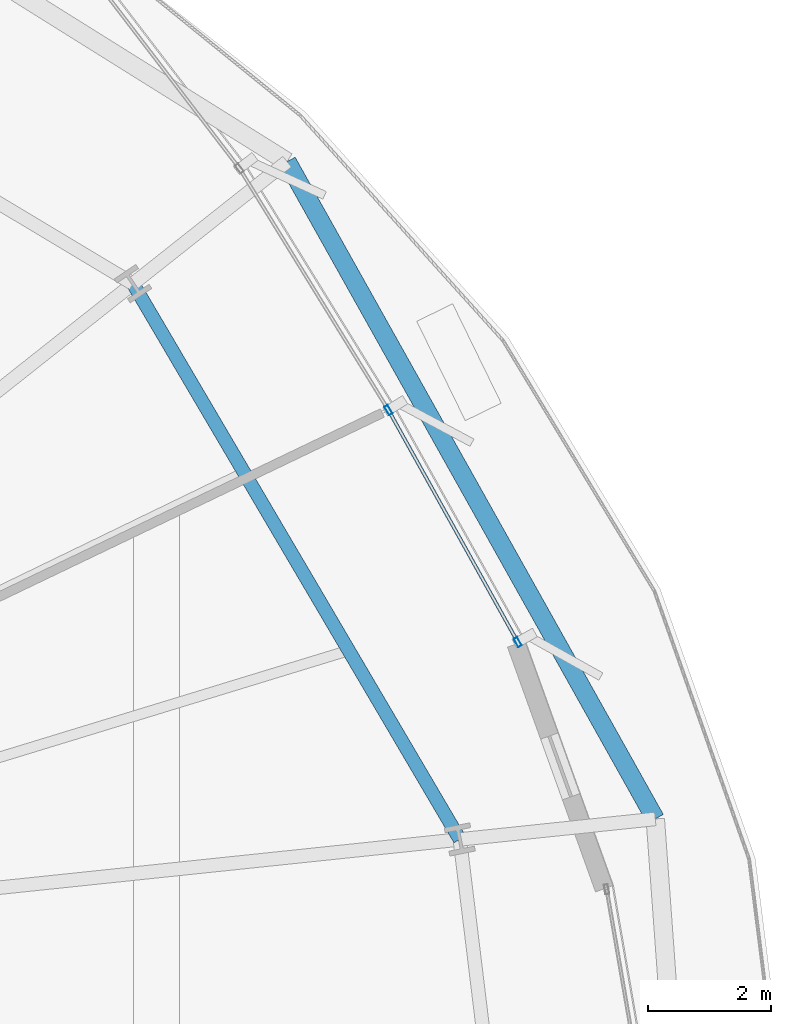
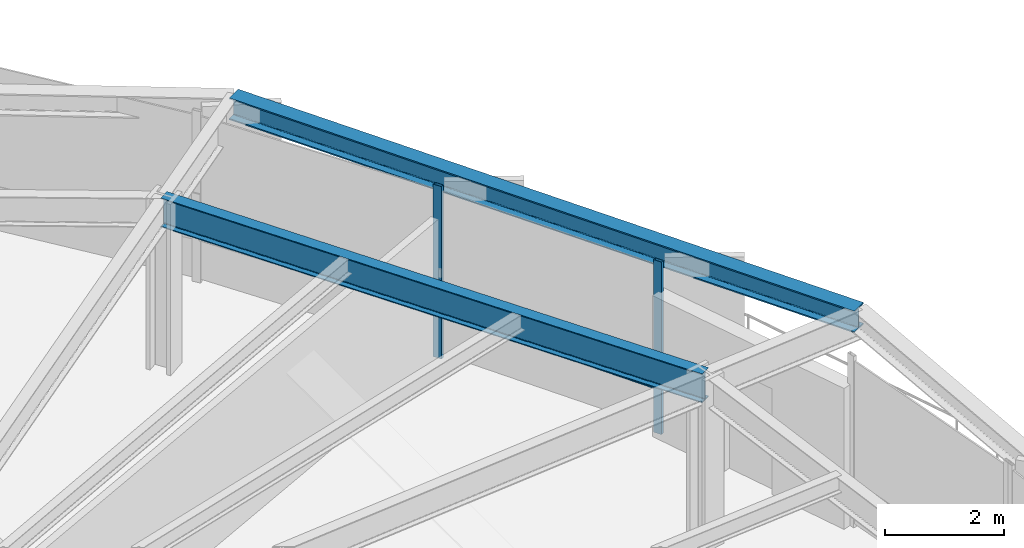
# One storey, part 26 of 39: 3 members, 2 beams, 1 element without a shape of its own.
"""IFC4 building model written with IfcOpenShell, lengths in metres."""

from ifc_helpers import new_model, si_unit, direction, frame, origin, origin_2d, place, context, subcontext, project, spatial, hollow_rectangle, i_section, extrude, source, transform, mapped, material, layer, layer_set, material_profile, profile_set, type_object, element, aggregate, save


model = new_model("IFC4")

# Units and contexts
model_context = context("Model", 3, precision=1e-05, world=origin(), true_north=direction((0.0, 1.0)))
body_context = subcontext(model_context, "Body", "Model", "MODEL_VIEW")
ifc_project = project(units=[si_unit("LENGTHUNIT", "METRE"), si_unit("AREAUNIT", "SQUARE_METRE"), si_unit("VOLUMEUNIT", "CUBIC_METRE"), si_unit("PLANEANGLEUNIT", "RADIAN"), si_unit("MASSUNIT", "GRAM", prefix="KILO"), si_unit("THERMODYNAMICTEMPERATUREUNIT", "KELVIN")], contexts=[model_context])

# Site, building, storey
site_placement = place(None, origin())
site = spatial("IfcSite", under=ifc_project, at=site_placement, CompositionType="ELEMENT")
building_placement = place(site_placement, origin())
building = spatial("IfcBuilding", under=site, at=building_placement, Name="Kethvar Cultural Tower", CompositionType="ELEMENT")
storey_placement = place(building_placement, frame((0.0, 0.0, 33.39990234375)))
storey = spatial("IfcBuildingStorey", under=building, at=storey_placement, Name="L07", CompositionType="ELEMENT", Elevation=33.39990234375)

# Beams
ifc_material_1 = material(Name="Steel S355J2", Category="steel")
ifc_material_profile_1 = material_profile(ifc_material_1, i_section(OverallWidth=0.219970703125, OverallDepth=0.60009765625, WebThickness=0.011962890625, FlangeThickness=0.01904296875, FilletRadius=0.02392578125, at=origin_2d()), Name="Steel S355J2 — IPE600")
ifc_profile_set_1 = profile_set([ifc_material_profile_1], Name="Steel S355J2 — IPE600")
beam_type_1 = type_object("IfcBeamType", Name="BM-IPE600", PredefinedType="BEAM", material=ifc_profile_set_1)
shared_shape_1 = source(origin(), body_context, "Body", "SweptSolid", [
    extrude(i_section(OverallWidth=0.219970703125, OverallDepth=0.60009765625, WebThickness=0.011962890625, FlangeThickness=0.01904296875, FilletRadius=0.02392578125, at=origin_2d()), origin(), (0.0, 0.0, 1.0), 10.496337890625),
])
beam_1_placement = place(storey_placement, frame((73.65673828125, 33.14208984375, 3.248046875), z_axis=(-0.506871712474, 0.862021500366, 0.0), x_axis=(-0.862021500366, -0.506871712474, 0.0)))
element("IfcBeam", 1, at=beam_1_placement, inside=storey, type_object=beam_type_1, Name="L07 Column Ring Tie Beam CR-01", PredefinedType="BEAM", context=body_context, shape_type="MappedRepresentation", body=[
    mapped(shared_shape_1, transform((0.0, 0.0, 0.0), scale=1.0)),
])
ifc_material_profile_2 = material_profile(ifc_material_1, i_section(OverallWidth=0.300048828125, OverallDepth=0.449951171875, WebThickness=0.013916015625, FlangeThickness=0.02587890625, FilletRadius=0.027099609375, at=origin_2d()), Name="Steel S355J2 — HEB450")
ifc_profile_set_2 = profile_set([ifc_material_profile_2], Name="Steel S355J2 — HEB450")
beam_type_2 = type_object("IfcBeamType", Name="BM-SP450", PredefinedType="SPANDREL", material=ifc_profile_set_2)
shared_shape_2 = source(origin(), body_context, "Body", "SweptSolid", [
    extrude(i_section(OverallWidth=0.300048828125, OverallDepth=0.449951171875, WebThickness=0.013916015625, FlangeThickness=0.02587890625, FilletRadius=0.027099609375, at=origin_2d()), origin(), (0.0, 0.0, 1.0), 12.266357421875),
])
beam_2_placement = place(storey_placement, frame((76.83935546875, 33.4755859375, 3.322998046875), z_axis=(-0.488708822027, 0.872446953845, 0.0), x_axis=(-0.872446953845, -0.488708822027, 0.0)))
element("IfcBeam", 2, at=beam_2_placement, inside=storey, type_object=beam_type_2, Name="L07 Perimeter Spandrel Beam SP-01", PredefinedType="SPANDREL", context=body_context, shape_type="MappedRepresentation", body=[
    mapped(shared_shape_2, transform((0.0, 0.0, 0.0), scale=1.0)),
])

# Curtain wall, members
ifc_material_2 = material(Name="Aluminium 6063-T6", Category="aluminium")
ifc_layer = layer(ifc_material_2, 0.179931640625, Name="Aluminium 6063-T6", Category="aluminium")
ifc_layer_set = layer_set([ifc_layer], Name="Aluminium 6063-T6 (180 mm)")
curtain_wall_type = type_object("IfcCurtainWallType", Name="CW-SYS-02-Z1", PredefinedType="NOTDEFINED", material=ifc_layer_set)
curtain_wall_placement = place(storey_placement, origin())
curtain_wall = element("IfcCurtainWall", 3, at=curtain_wall_placement, inside=storey, type_object=curtain_wall_type, Name="L07 Curtain Wall Run 02", PredefinedType="NOTDEFINED")
ifc_material_profile_3 = material_profile(ifc_material_2, hollow_rectangle(XDim=0.06494140625, YDim=0.159912109375, WallThickness=0.0048828125, at=origin_2d()), Name="Aluminium 6063-T6 — RHS160x65x5")
ifc_profile_set_3 = profile_set([ifc_material_profile_3], Name="Aluminium 6063-T6 — RHS160x65x5")
member_type_1 = type_object("IfcMemberType", Name="CW-SYS-02-Z1-MUL", PredefinedType="MULLION", material=ifc_profile_set_3)
shared_shape_3 = source(origin(), body_context, "Body", "SweptSolid", [
    extrude(hollow_rectangle(XDim=0.06494140625, YDim=0.159912109375, WallThickness=0.0048828125, at=origin_2d()), origin(), (0.0, 0.0, 1.0), 3.550048828125),
])
member_1_placement = place(storey_placement, frame((74.599853515625, 36.355224609375, 0.0), z_axis=(0.0, 0.0, 1.0), x_axis=(-0.873491969053, -0.486838556403, 0.0)))
member_1 = element("IfcMember", 4, at=member_1_placement, type_object=member_type_1, Name="CW-L07-R02 Mullion 1", PredefinedType="MULLION", context=body_context, shape_type="MappedRepresentation", body=[
    mapped(shared_shape_3, transform((0.0, 0.0, 0.0), scale=1.0)),
])
member_2_placement = place(storey_placement, frame((72.494384765625, 40.13330078125, 0.0), z_axis=(0.0, 0.0, 1.0), x_axis=(-0.851177750474, -0.524877544859, 0.0)))
member_2 = element("IfcMember", 5, at=member_2_placement, type_object=member_type_1, Name="CW-L07-R02 Mullion 2", PredefinedType="MULLION", context=body_context, shape_type="MappedRepresentation", body=[
    mapped(shared_shape_3, transform((0.0, 0.0, 0.0), scale=1.0)),
])
ifc_material_profile_4 = material_profile(ifc_material_2, hollow_rectangle(XDim=0.054931640625, YDim=0.1201171875, WallThickness=0.00390625, at=origin_2d()), Name="Aluminium 6063-T6 — RHS120x55x4")
ifc_profile_set_4 = profile_set([ifc_material_profile_4], Name="Aluminium 6063-T6 — RHS120x55x4")
member_type_2 = type_object("IfcMemberType", Name="CW-SYS-02-Z1-TRN", PredefinedType="USERDEFINED", material=ifc_profile_set_4)
shared_shape_4 = source(origin(), body_context, "Body", "SweptSolid", [
    extrude(hollow_rectangle(XDim=0.054931640625, YDim=0.1201171875, WallThickness=0.00390625, at=origin_2d()), origin(), (0.0, 0.0, 1.0), 4.27880859375),
])
member_3_placement = place(storey_placement, frame((74.59765625, 36.359375, 0.9501953125), z_axis=(-0.486863251736, 0.873478204713, 0.0), x_axis=(-0.873478204713, -0.486863251736, 0.0)))
member_3 = element("IfcMember", 6, at=member_3_placement, type_object=member_type_2, Name="CW-L07-R02 Transom 1", ObjectType="TRANSOM", PredefinedType="USERDEFINED", context=body_context, shape_type="MappedRepresentation", body=[
    mapped(shared_shape_4, transform((0.0, 0.0, 0.0), scale=1.0)),
])
aggregate(curtain_wall, [member_1, member_2, member_3])

save(model, "model.ifc")
